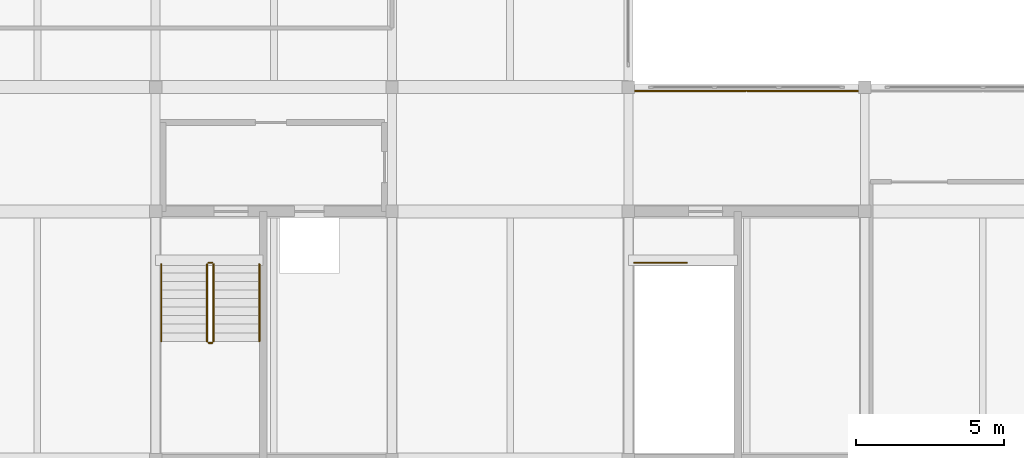
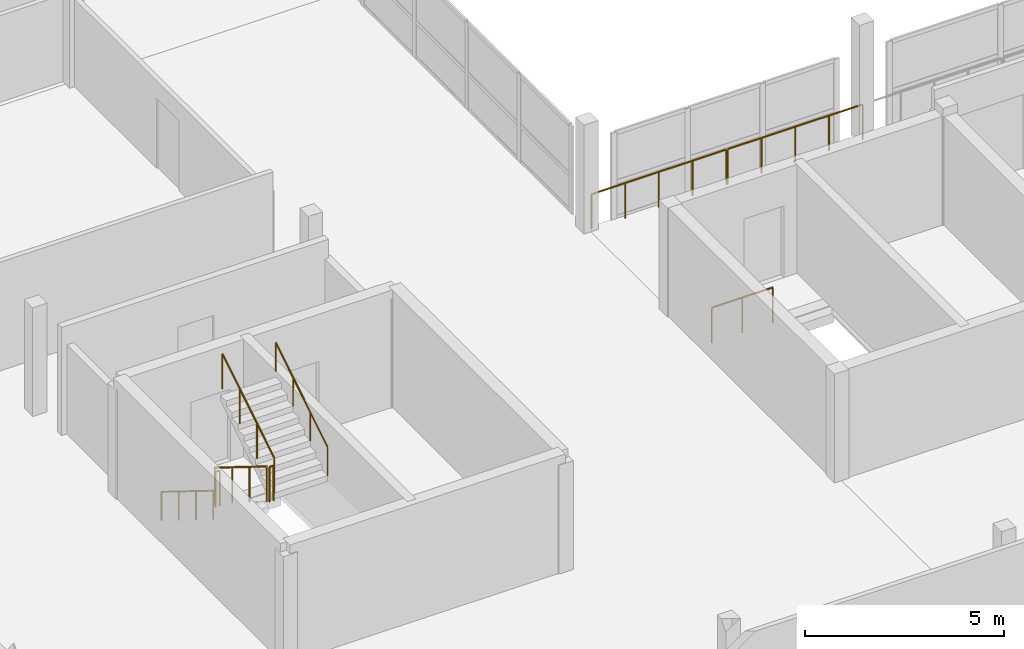
# One storey, part 45 of 51: 9 railings.
"""IFC4 building model written with IfcOpenShell, lengths in metres."""

from ifc_helpers import new_model, si_unit, direction, frame, origin, origin_2d, place, context, subcontext, project, spatial, circle, extrude, material, type_object, element, save


model = new_model("IFC4")

# Units and contexts
model_context = context("Model", 3, precision=1e-05, world=origin(), true_north=direction((0.0, 1.0)))
body_context = subcontext(model_context, "Body", "Model", "MODEL_VIEW")
ifc_project = project(units=[si_unit("LENGTHUNIT", "METRE"), si_unit("AREAUNIT", "SQUARE_METRE"), si_unit("VOLUMEUNIT", "CUBIC_METRE"), si_unit("PLANEANGLEUNIT", "RADIAN"), si_unit("MASSUNIT", "GRAM", prefix="KILO")], contexts=[model_context])

# Site, building, storey
site_placement = place(None, origin())
site = spatial("IfcSite", under=ifc_project, at=site_placement, CompositionType="ELEMENT")
building_placement = place(site_placement, origin())
building = spatial("IfcBuilding", under=site, at=building_placement, Name="Vharandega Faculty of Natural Sciences", CompositionType="ELEMENT")
storey_placement = place(building_placement, frame((0.0, 0.0, 14.39990234375)))
storey = spatial("IfcBuildingStorey", under=building, at=storey_placement, Name="L03", CompositionType="ELEMENT", Elevation=14.39990234375)

# Railings
ifc_material_1 = material(Name="Timber-capped steel and glass balustrade", Category="steel")
railing_type_1 = type_object("IfcRailingType", Name="Atrium Void Balustrade 1100", PredefinedType="BALUSTRADE", material=ifc_material_1)
for number, where, name in (
    (1, (24.06494140625, 84.8798828125, 0.0), "Atrium Glass Balustrade L03 #1"),
    (2, (28.02490234375, 84.8798828125, 0.0), "Atrium Glass Balustrade L03 #2"),
):
    element("IfcRailing", number, at=place(storey_placement, frame(where)), inside=storey, type_object=railing_type_1, Name=name, PredefinedType="BALUSTRADE", context=body_context, shape_type="SweptSolid", body=[
        extrude(circle(Radius=0.02392578125, at=origin_2d()), frame((0.0, 0.0, 1.076171875), z_axis=(1.0, 0.0, 0.0), x_axis=(0.0, 1.0, 0.0)), (0.0, 0.0, 1.0), 3.91015625),
        extrude(circle(Radius=0.02099609375, at=origin_2d()), origin(), (0.0, 0.0, 1.0), 1.052001953125),
        extrude(circle(Radius=0.02099609375, at=origin_2d()), frame((0.9775390625, 0.0, 0.0)), (0.0, 0.0, 1.0), 1.052001953125),
        extrude(circle(Radius=0.02099609375, at=origin_2d()), frame((1.955078125, 0.0, 0.0)), (0.0, 0.0, 1.0), 1.052001953125),
        extrude(circle(Radius=0.02099609375, at=origin_2d()), frame((2.9326171875, 0.0, 0.0)), (0.0, 0.0, 1.0), 1.052001953125),
        extrude(circle(Radius=0.02099609375, at=origin_2d()), frame((3.91015625, 0.0, 0.0)), (0.0, 0.0, 1.0), 1.052001953125),
    ])
ifc_material_2 = material(Name="Brushed stainless steel handrail", Category="steel")
railing_type_2 = type_object("IfcRailingType", Name="Stair Tubular Handrail 900", PredefinedType="HANDRAIL", material=ifc_material_2)
railing_1_placement = place(storey_placement, frame((8.18994140625, 79.010009765625, 0.18017578125)))
element("IfcRailing", 3, at=railing_1_placement, inside=storey, type_object=railing_type_2, Name="L03 ST4 stair handrail 1", PredefinedType="HANDRAIL", context=body_context, shape_type="SweptSolid", body=[
    extrude(circle(Radius=0.02392578125, at=origin_2d()), frame((0.0, 0.0, 0.8759765625), z_axis=(0.0, -0.849668407637, 0.527317358963), x_axis=(1.0, 0.0, 0.0)), (0.0, 0.0, 1.0), 3.072021484375),
    extrude(circle(Radius=0.02099609375, at=origin_2d()), origin(), (0.0, 0.0, 1.0), 0.851806640625),
    extrude(circle(Radius=0.02099609375, at=origin_2d()), frame((0.0, -0.8701171875, 0.5400390625)), (0.0, 0.0, 1.0), 0.851806640625),
    extrude(circle(Radius=0.02099609375, at=origin_2d()), frame((0.0, -1.739990234375, 1.079833984375)), (0.0, 0.0, 1.0), 0.851806640625),
    extrude(circle(Radius=0.02099609375, at=origin_2d()), frame((0.0, -2.610107421875, 1.619873046875)), (0.0, 0.0, 1.0), 0.851806640625),
])
railing_2_placement = place(storey_placement, frame((11.510009765625, 76.39990234375, 1.97998046875)))
element("IfcRailing", 4, at=railing_2_placement, inside=storey, type_object=railing_type_2, Name="L03 ST4 stair handrail 2", PredefinedType="HANDRAIL", context=body_context, shape_type="SweptSolid", body=[
    extrude(circle(Radius=0.02392578125, at=origin_2d()), frame((0.0, 0.0, 0.8759765625), z_axis=(0.0, 0.849632798774, 0.527374731332), x_axis=(-1.0, 0.0, 0.0)), (0.0, 0.0, 1.0), 3.072021484375),
    extrude(circle(Radius=0.02099609375, at=origin_2d()), origin(), (0.0, 0.0, 1.0), 0.851806640625),
    extrude(circle(Radius=0.02099609375, at=origin_2d()), frame((0.0, 0.8701171875, 0.5400390625)), (0.0, 0.0, 1.0), 0.851806640625),
    extrude(circle(Radius=0.02099609375, at=origin_2d()), frame((0.0, 1.739990234375, 1.080078125)), (0.0, 0.0, 1.0), 0.851806640625),
    extrude(circle(Radius=0.02099609375, at=origin_2d()), frame((0.0, 2.610107421875, 1.6201171875)), (0.0, 0.0, 1.0), 0.851806640625),
])
ifc_material_3 = material(Name="Painted steel stair guardrail", Category="steel")
railing_type_3 = type_object("IfcRailingType", Name="Stairwell Steel Guardrail 1100", PredefinedType="GUARDRAIL", material=ifc_material_3)
railing_3_placement = place(storey_placement, frame((9.739990234375, 79.010009765625, 0.18017578125)))
element("IfcRailing", 5, at=railing_3_placement, inside=storey, type_object=railing_type_3, Name="L03 ST4 stair guard 1", PredefinedType="GUARDRAIL", context=body_context, shape_type="SweptSolid", body=[
    extrude(circle(Radius=0.02392578125, at=origin_2d()), frame((0.0, 0.0, 1.076171875), z_axis=(0.0, -0.849668407637, 0.527317358963), x_axis=(1.0, 0.0, 0.0)), (0.0, 0.0, 1.0), 3.072021484375),
    extrude(circle(Radius=0.02099609375, at=origin_2d()), origin(), (0.0, 0.0, 1.0), 1.052001953125),
    extrude(circle(Radius=0.02099609375, at=origin_2d()), frame((0.0, -0.8701171875, 0.5400390625)), (0.0, 0.0, 1.0), 1.052001953125),
    extrude(circle(Radius=0.02099609375, at=origin_2d()), frame((0.0, -1.739990234375, 1.079833984375)), (0.0, 0.0, 1.0), 1.052001953125),
    extrude(circle(Radius=0.02099609375, at=origin_2d()), frame((0.0, -2.610107421875, 1.619873046875)), (0.0, 0.0, 1.0), 1.052001953125),
])
railing_4_placement = place(storey_placement, frame((9.7900390625, 76.35009765625, 1.800048828125)))
element("IfcRailing", 6, at=railing_4_placement, inside=storey, type_object=railing_type_3, Name="L03 ST4 stair guard 2", PredefinedType="GUARDRAIL", context=body_context, shape_type="SweptSolid", body=[
    extrude(circle(Radius=0.02392578125, at=origin_2d()), frame((0.0, 0.0, 1.076171875), z_axis=(1.0, 0.0, 0.0), x_axis=(0.0, 1.0, 0.0)), (0.0, 0.0, 1.0), 0.119873046875),
    extrude(circle(Radius=0.02099609375, at=origin_2d()), origin(), (0.0, 0.0, 1.0), 1.052001953125),
    extrude(circle(Radius=0.02099609375, at=origin_2d()), frame((0.119873046875, 0.0, 0.0)), (0.0, 0.0, 1.0), 1.052001953125),
])
railing_5_placement = place(storey_placement, frame((9.9599609375, 76.39990234375, 1.97998046875)))
element("IfcRailing", 7, at=railing_5_placement, inside=storey, type_object=railing_type_3, Name="L03 ST4 stair guard 3", PredefinedType="GUARDRAIL", context=body_context, shape_type="SweptSolid", body=[
    extrude(circle(Radius=0.02392578125, at=origin_2d()), frame((0.0, 0.0, 1.076171875), z_axis=(0.0, 0.849632798774, 0.527374731332), x_axis=(-1.0, 0.0, 0.0)), (0.0, 0.0, 1.0), 3.072021484375),
    extrude(circle(Radius=0.02099609375, at=origin_2d()), origin(), (0.0, 0.0, 1.0), 1.052001953125),
    extrude(circle(Radius=0.02099609375, at=origin_2d()), frame((0.0, 0.8701171875, 0.5400390625)), (0.0, 0.0, 1.0), 1.052001953125),
    extrude(circle(Radius=0.02099609375, at=origin_2d()), frame((0.0, 1.739990234375, 1.080078125)), (0.0, 0.0, 1.0), 1.052001953125),
    extrude(circle(Radius=0.02099609375, at=origin_2d()), frame((0.0, 2.610107421875, 1.6201171875)), (0.0, 0.0, 1.0), 1.052001953125),
])
railing_6_placement = place(storey_placement, frame((9.7900390625, 79.06005859375, 0.0)))
element("IfcRailing", 8, at=railing_6_placement, inside=storey, type_object=railing_type_3, Name="L03 ST4 stair guard 4", PredefinedType="GUARDRAIL", context=body_context, shape_type="SweptSolid", body=[
    extrude(circle(Radius=0.02392578125, at=origin_2d()), frame((0.0, 0.0, 1.076171875), z_axis=(1.0, 0.0, 0.0), x_axis=(0.0, 1.0, 0.0)), (0.0, 0.0, 1.0), 0.119873046875),
    extrude(circle(Radius=0.02099609375, at=origin_2d()), origin(), (0.0, 0.0, 1.0), 1.052001953125),
    extrude(circle(Radius=0.02099609375, at=origin_2d()), frame((0.119873046875, 0.0, 0.0)), (0.0, 0.0, 1.0), 1.052001953125),
])
railing_7_placement = place(storey_placement, frame((24.199951171875, 79.06005859375, 0.0)))
element("IfcRailing", 9, at=railing_7_placement, inside=storey, type_object=railing_type_3, Name="L03 ST6 top well guard 1", PredefinedType="GUARDRAIL", context=body_context, shape_type="SweptSolid", body=[
    extrude(circle(Radius=0.02392578125, at=origin_2d()), frame((0.0, 0.0, 1.076171875), z_axis=(1.0, 0.0, 0.0), x_axis=(0.0, 1.0, 0.0)), (0.0, 0.0, 1.0), 1.77001953125),
    extrude(circle(Radius=0.02099609375, at=origin_2d()), origin(), (0.0, 0.0, 1.0), 1.052001953125),
    extrude(circle(Radius=0.02099609375, at=origin_2d()), frame((0.885009765625, 0.0, 0.0)), (0.0, 0.0, 1.0), 1.052001953125),
    extrude(circle(Radius=0.02099609375, at=origin_2d()), frame((1.77001953125, 0.0, 0.0)), (0.0, 0.0, 1.0), 1.052001953125),
])

save(model, "model.ifc")
